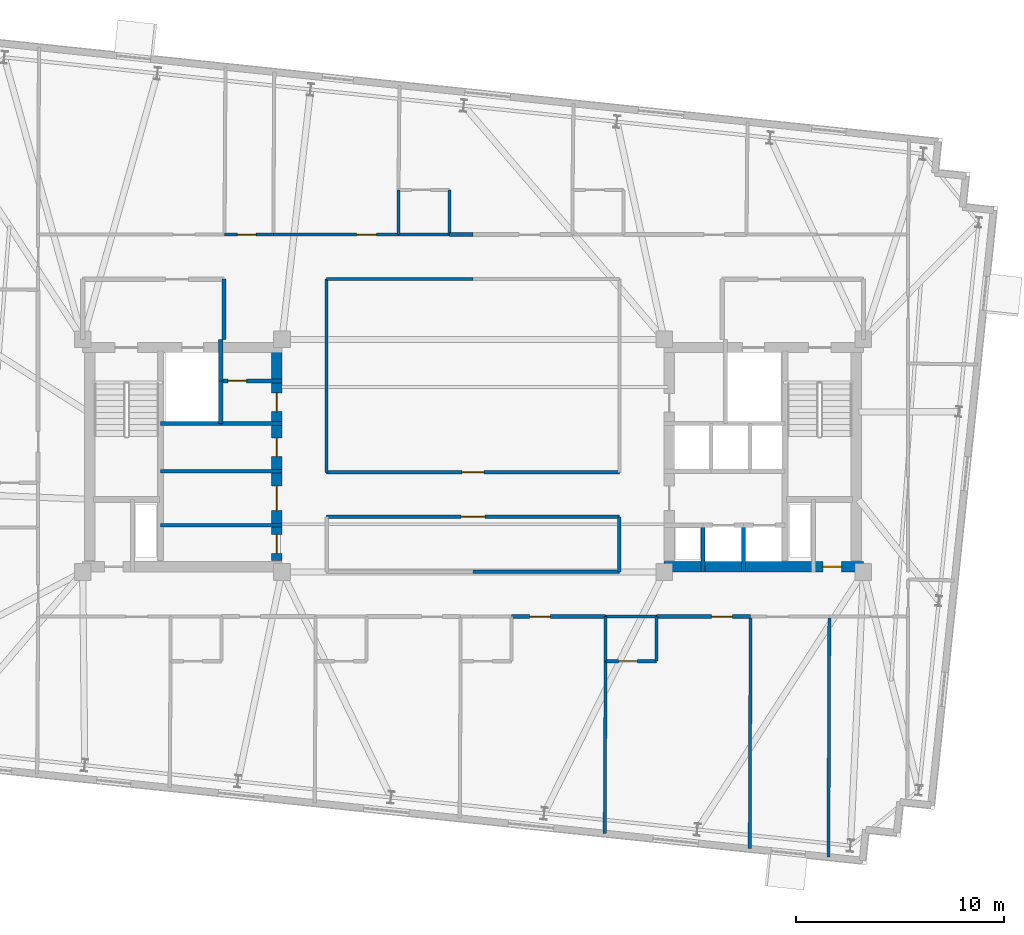
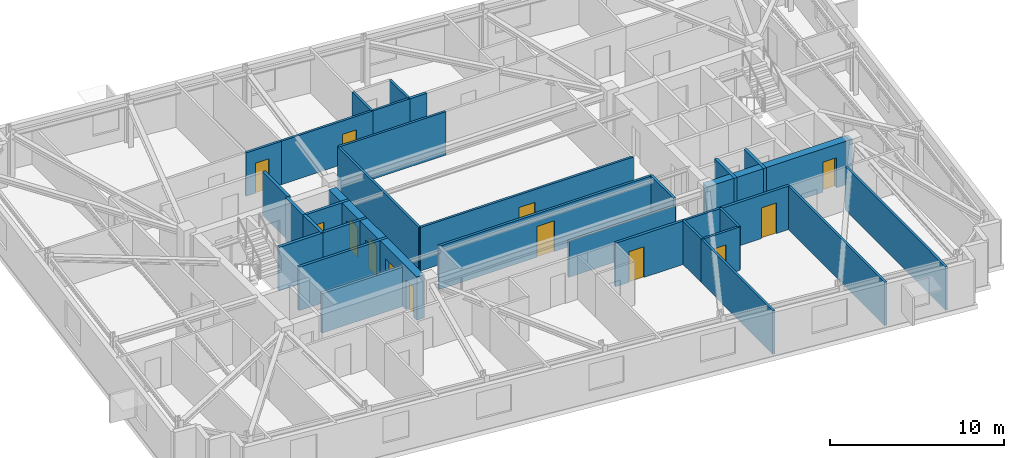
# One storey, part 7 of 11: 33 walls, 13 doors, 13 openings.
"""IFC4 building model written with IfcOpenShell, lengths in metres."""

import ifcopenshell
import ifcopenshell.guid

model = None  # the IFC model being written
_history = None  # IfcOwnerHistory: only IFC2X3 demands one
_inside = {}  # id of a spatial element -> (the spatial element, [elements in it])
_under = {}  # id of a project, library or spatial element -> (it, [spatial elements below it])
_declared = {}  # id of a project -> (the project, [libraries it declares])
_typed = {}  # id of a type object -> (the type object, [elements of that type])
_made_of = {}  # id of a material, layer set ... -> (it, [elements and type objects made of it])


def new_model(schema):
    """Start an empty IFC model of exactly this schema.

    Asked for "IFC4X3", IfcOpenShell would pick the latest addendum, in which some entities
    have other attributes; the version numbers below select the first issue.
    IFC2X3 requires an IfcOwnerHistory on every rooted entity: one is made here for all.
    """
    global model, _history
    if schema == "IFC4X3":
        model = ifcopenshell.file(schema_version=(4, 3, 0, 0))
    else:
        model = ifcopenshell.file(schema=schema)
    _inside.clear()
    _under.clear()
    _declared.clear()
    _typed.clear()
    _made_of.clear()
    _history = None
    if model.schema == "IFC2X3":
        org = make("IfcOrganization", Name="unknown")
        user = make(
            "IfcPersonAndOrganization",
            ThePerson=make("IfcPerson", FamilyName="unknown"),
            TheOrganization=org,
        )
        app = make(
            "IfcApplication",
            ApplicationDeveloper=org,
            Version="unknown",
            ApplicationFullName="unknown",
            ApplicationIdentifier="unknown",
        )
        _history = make(
            "IfcOwnerHistory",
            OwningUser=user,
            OwningApplication=app,
            ChangeAction="ADDED",
            CreationDate=0,
        )
    return model


def make(cls, **values):
    """One entity of the class cls with the attributes given. An attribute that is None is left unset."""
    return model.create_entity(
        cls, **{name: value for name, value in values.items() if value is not None}
    )


def rooted(cls, **values):
    """An entity with a GlobalId (a new one), such as an element, a storey or a relation."""
    return make(cls, GlobalId=ifcopenshell.guid.new(), OwnerHistory=_history, **values)


def si_unit(unit_type, name, prefix=None):
    """IfcSIUnit, for example si_unit("LENGTHUNIT", "METRE", prefix="MILLI")."""
    return make("IfcSIUnit", UnitType=unit_type, Prefix=prefix, Name=name)


def assignment(units):
    """IfcUnitAssignment: the units of a project."""
    return None if units is None else make("IfcUnitAssignment", Units=units)


def point(xyz):
    """IfcCartesianPoint."""
    return None if xyz is None else make("IfcCartesianPoint", Coordinates=xyz)


def direction(xyz):
    """IfcDirection."""
    return None if xyz is None else make("IfcDirection", DirectionRatios=xyz)


def frame(location, z_axis=None, x_axis=None):
    """IfcAxis2Placement3D, a coordinate frame: its origin and axes. An axis left out is left unset."""
    return make(
        "IfcAxis2Placement3D",
        Location=point(location),
        Axis=direction(z_axis),
        RefDirection=direction(x_axis),
    )


def frame_2d(location, x_axis=None):
    """IfcAxis2Placement2D, a coordinate frame in the plane: its origin and x axis."""
    return make(
        "IfcAxis2Placement2D", Location=point(location), RefDirection=direction(x_axis)
    )


def origin():
    """The frame at (0, 0, 0) with its axes left unset."""
    return frame((0.0, 0.0, 0.0))


def place(relative_to, where):
    """IfcLocalPlacement: puts the frame where relative to a parent placement (None: the world)."""
    return make(
        "IfcLocalPlacement", PlacementRelTo=relative_to, RelativePlacement=where
    )


def context(
    kind, dimensions, precision=None, world=None, true_north=None, identifier=None
):
    """IfcGeometricRepresentationContext, for example the 3D "Model" context."""
    return make(
        "IfcGeometricRepresentationContext",
        ContextIdentifier=identifier,
        ContextType=kind,
        CoordinateSpaceDimension=dimensions,
        Precision=precision,
        WorldCoordinateSystem=world,
        TrueNorth=true_north,
    )


def subcontext(parent, identifier, kind, view, scale=None):
    """IfcGeometricRepresentationSubContext, for example "Body" below "Model"."""
    return make(
        "IfcGeometricRepresentationSubContext",
        ContextIdentifier=identifier,
        ContextType=kind,
        ParentContext=parent,
        TargetScale=scale,
        TargetView=view,
    )


def project(units=None, contexts=None):
    """IfcProject with its units and contexts."""
    return rooted(
        "IfcProject",
        Name="project",
        RepresentationContexts=contexts,
        UnitsInContext=assignment(units),
    )


def spatial(cls, under=None, at=None, **own):
    """A site, building, storey or space (cls), placed at a placement, below another one or the project."""
    s = rooted(cls, ObjectPlacement=at, **own)
    if under is not None:
        _under.setdefault(under.id(), (under, []))[1].append(s)
    return s


def profile(cls, at=None, kind="AREA", **sizes):
    """A parametric profile (cls). Its sizes go by their IFC names, for example OverallWidth=200.0."""
    return make(cls, ProfileType=kind, Position=at, **sizes)


def rectangle(**sizes):
    """IfcRectangleProfileDef."""
    return profile("IfcRectangleProfileDef", **sizes)


def extrude(swept, where, along, depth):
    """IfcExtrudedAreaSolid: the profile swept, set in the frame where, extruded along a direction by depth."""
    return make(
        "IfcExtrudedAreaSolid",
        SweptArea=swept,
        Position=where,
        ExtrudedDirection=direction(along),
        Depth=depth,
    )


def shape(context_of_items, identifier, shape_type, items):
    """IfcShapeRepresentation: the items that make up one representation, for example the "Body"."""
    return make(
        "IfcShapeRepresentation",
        ContextOfItems=context_of_items,
        RepresentationIdentifier=identifier,
        RepresentationType=shape_type,
        Items=items,
    )


def material(Name=None, Category=None):
    """IfcMaterial."""
    return make("IfcMaterial", Name=Name, Category=Category)


def layer(
    of_material, thickness, ventilated=None, Name=None, Category=None, Priority=None
):
    """IfcMaterialLayer: one layer of a wall or slab, of a material (None: an air gap)."""
    return make(
        "IfcMaterialLayer",
        Material=of_material,
        LayerThickness=thickness,
        IsVentilated=ventilated,
        Name=Name,
        Category=Category,
        Priority=Priority,
    )


def layer_set(layers, Name=None):
    """IfcMaterialLayerSet."""
    return make("IfcMaterialLayerSet", MaterialLayers=layers, LayerSetName=Name)


def made_of(thing, what):
    """Note that an element or type object is made of a material, layer set ...; save() writes the relation."""
    if what is not None:
        _made_of.setdefault(what.id(), (what, []))[1].append(thing)
    return thing


def type_object(cls, material=None, **own):
    """A type object (cls), such as IfcWallType, which elements share."""
    return made_of(rooted(cls, **own), material)


def element(
    cls,
    number,
    at=None,
    inside=None,
    cuts=None,
    type_object=None,
    material=None,
    context=None,
    identifier="Body",
    shape_type=None,
    held_by="IfcProductDefinitionShape",
    body=None,
    shapes=None,
    **own,
):
    """One element of the class cls, such as IfcWall. Its Tag is "e" and its number.

    at: its placement. inside: the storey or other place that contains it. cuts: it is an
    opening in that element (IfcRelVoidsElement). A single representation is given by context,
    identifier, shape_type and body (its items); several are given by shapes. held_by: the class
    of the entity that holds the representations. save() writes the other relations.
    """
    e = rooted(cls, Tag="e%d" % number, ObjectPlacement=at, **own)
    if body is not None:
        shapes = [shape(context, identifier, shape_type, body)]
    if shapes is not None:
        e.Representation = make(held_by, Representations=shapes)
    if inside is not None:
        _inside.setdefault(inside.id(), (inside, []))[1].append(e)
    if cuts is not None:
        rooted(
            "IfcRelVoidsElement", RelatingBuildingElement=cuts, RelatedOpeningElement=e
        )
    if type_object is not None:
        _typed.setdefault(type_object.id(), (type_object, []))[1].append(e)
    return made_of(e, material)


def fill(opening, filler):
    """IfcRelFillsElement: the door or window that sits in an opening."""
    return rooted(
        "IfcRelFillsElement",
        RelatingOpeningElement=opening,
        RelatedBuildingElement=filler,
    )


def aggregate(whole, parts):
    """IfcRelAggregates: a whole, such as a stair, and the parts it consists of."""
    return rooted("IfcRelAggregates", RelatingObject=whole, RelatedObjects=parts)


def save(model, path):
    """Write the relations noted so far, then the file.

    IfcRelAggregates (storeys below a building ...), IfcRelContainedInSpatialStructure (elements
    in a storey), IfcRelDefinesByType, IfcRelAssociatesMaterial and IfcRelDeclares: one each for
    every whole, place, type object, material and project.
    """
    for whole, parts in _under.values():
        aggregate(whole, parts)
    for where, things in _inside.values():
        rooted(
            "IfcRelContainedInSpatialStructure",
            RelatedElements=things,
            RelatingStructure=where,
        )
    for kind, things in _typed.values():
        rooted("IfcRelDefinesByType", RelatedObjects=things, RelatingType=kind)
    for what, things in _made_of.values():
        rooted("IfcRelAssociatesMaterial", RelatedObjects=things, RelatingMaterial=what)
    for by, libraries in _declared.values():
        rooted("IfcRelDeclares", RelatingContext=by, RelatedDefinitions=libraries)
    model.write(path)


model = new_model("IFC4")

# Units and contexts
model_context = context("Model", 3, precision=1e-05, world=origin(), true_north=direction((0.0, 1.0)))
body_context = subcontext(model_context, "Body", "Model", "MODEL_VIEW")
ifc_project = project(units=[si_unit("LENGTHUNIT", "METRE"), si_unit("AREAUNIT", "SQUARE_METRE"), si_unit("VOLUMEUNIT", "CUBIC_METRE"), si_unit("PLANEANGLEUNIT", "RADIAN"), si_unit("MASSUNIT", "GRAM", prefix="KILO")], contexts=[model_context])

# Site, building, storey
site_placement = place(None, origin())
site = spatial("IfcSite", under=ifc_project, at=site_placement, CompositionType="ELEMENT")
building_placement = place(site_placement, origin())
building = spatial("IfcBuilding", under=site, at=building_placement, Name="Qobustan Lattice House", CompositionType="ELEMENT")
storey_placement = place(building_placement, frame((0.0, 0.0, 206.449951171875)))
storey = spatial("IfcBuildingStorey", under=building, at=storey_placement, Name="L58", CompositionType="ELEMENT", Elevation=206.449951171875)

# Wall, openings, doors
ifc_material_1 = material(Name="Concrete C50/60", Category="concrete")
ifc_layer_1 = layer(ifc_material_1, 0.5)
ifc_layer_set_1 = layer_set([ifc_layer_1], Name="Concrete C50/60")
wall_type_1 = type_object("IfcWallType", Name="WAL-CORE-500", PredefinedType="SHEAR", material=ifc_layer_set_1)
wall_1_placement = place(storey_placement, frame((-9.449951171875, -5.050048828125, 0.0), z_axis=(0.0, 0.0, 1.0), x_axis=(0.0, 1.0, 0.0)))
wall_1 = element("IfcWall", 1, at=wall_1_placement, inside=storey, type_object=wall_type_1, Name="L58 split-core shear wall CW-E", PredefinedType="SHEAR", context=body_context, shape_type="SweptSolid", body=[
    extrude(rectangle(XDim=10.10009765625, YDim=0.5, at=frame_2d((5.050048828125, 0.0))), origin(), (0.0, 0.0, 1.0), 3.0400390625),
])
opening_1_placement = place(wall_1_placement, frame((7.175048828125, 0.0, 0.0)))
opening_1 = element("IfcOpeningElement", 2, at=opening_1_placement, cuts=wall_1, Name="Opening RD-01", PredefinedType="OPENING", context=body_context, shape_type="SweptSolid", body=[
    extrude(rectangle(XDim=0.89990234375, YDim=2.10009765625, at=frame_2d((0.449951171875, 1.050048828125))), frame((0.0, 0.260009765625, 0.0), z_axis=(0.0, -1.0, 0.0), x_axis=(1.0, 0.0, 0.0)), (0.0, 0.0, 1.0), 0.52001953125),
])
opening_2_placement = place(wall_1_placement, frame((2.39990234375, 0.0, 0.0)))
opening_2 = element("IfcOpeningElement", 3, at=opening_2_placement, cuts=wall_1, Name="Opening FD-01", PredefinedType="OPENING", context=body_context, shape_type="SweptSolid", body=[
    extrude(rectangle(XDim=1.199951171875, YDim=2.14990234375, at=frame_2d((0.60009765625, 1.074951171875))), frame((0.0, 0.260009765625, 0.0), z_axis=(0.0, -1.0, 0.0), x_axis=(1.0, 0.0, 0.0)), (0.0, 0.0, 1.0), 0.52001953125),
])
opening_3_placement = place(wall_1_placement, frame((0.35009765625, 0.0, 0.0)))
opening_3 = element("IfcOpeningElement", 4, at=opening_3_placement, cuts=wall_1, Name="Opening RD-01", PredefinedType="OPENING", context=body_context, shape_type="SweptSolid", body=[
    extrude(rectangle(XDim=0.89990234375, YDim=2.10009765625, at=frame_2d((0.449951171875, 1.050048828125))), frame((0.0, 0.260009765625, 0.0), z_axis=(0.0, -1.0, 0.0), x_axis=(1.0, 0.0, 0.0)), (0.0, 0.0, 1.0), 0.52001953125),
])
opening_4_placement = place(wall_1_placement, frame((5.0, 0.0, 0.0)))
opening_4 = element("IfcOpeningElement", 5, at=opening_4_placement, cuts=wall_1, Name="Opening RD-01", PredefinedType="OPENING", context=body_context, shape_type="SweptSolid", body=[
    extrude(rectangle(XDim=0.89990234375, YDim=2.10009765625, at=frame_2d((0.449951171875, 1.050048828125))), frame((0.0, 0.260009765625, 0.0), z_axis=(0.0, -1.0, 0.0), x_axis=(1.0, 0.0, 0.0)), (0.0, 0.0, 1.0), 0.52001953125),
])
ifc_material_2 = material(Name="Persian walnut timber and steel frame door", Category="steel")
door_type_1 = type_object("IfcDoorType", Name="DOR-LOBBY-FD-1200x2150", OperationType="NOTDEFINED", PredefinedType="DOOR", material=ifc_material_2)
door_1_placement = place(opening_2_placement, origin())
door_1 = element("IfcDoor", 6, at=door_1_placement, inside=storey, type_object=door_type_1, Name="L58 West core foyer fire door", OperationType="SINGLE_SWING_LEFT", OverallHeight=2.14990234375, OverallWidth=1.199951171875, PredefinedType="DOOR", context=body_context, shape_type="SweptSolid", body=[
    extrude(rectangle(XDim=1.199951171875, YDim=2.14990234375, at=frame_2d((0.60009765625, 1.074951171875))), frame((0.0, 0.02490234375, 0.0), z_axis=(0.0, -1.0, 0.0), x_axis=(1.0, 0.0, 0.0)), (0.0, 0.0, 1.0), 0.050048828125),
])
fill(opening_2, door_1)
ifc_material_3 = material(Name="Persian walnut timber and steel frame door", Category="steel")
door_type_2 = type_object("IfcDoorType", Name="DOR-RISER-FD-900x2100", OperationType="NOTDEFINED", PredefinedType="DOOR", material=ifc_material_3)
door_2_placement = place(opening_1_placement, origin())
door_2 = element("IfcDoor", 7, at=door_2_placement, inside=storey, type_object=door_type_2, Name="L58 Core utility lobby fire door", OperationType="SINGLE_SWING_RIGHT", OverallHeight=2.10009765625, OverallWidth=0.89990234375, PredefinedType="DOOR", context=body_context, shape_type="SweptSolid", body=[
    extrude(rectangle(XDim=0.89990234375, YDim=2.10009765625, at=frame_2d((0.449951171875, 1.050048828125))), frame((0.0, 0.02490234375, 0.0), z_axis=(0.0, -1.0, 0.0), x_axis=(1.0, 0.0, 0.0)), (0.0, 0.0, 1.0), 0.050048828125),
])
fill(opening_1, door_2)
door_3_placement = place(opening_3_placement, origin())
door_3 = element("IfcDoor", 8, at=door_3_placement, inside=storey, type_object=door_type_2, Name="L58 Quiet study alcove fire door", OperationType="SINGLE_SWING_RIGHT", OverallHeight=2.10009765625, OverallWidth=0.89990234375, PredefinedType="DOOR", context=body_context, shape_type="SweptSolid", body=[
    extrude(rectangle(XDim=0.89990234375, YDim=2.10009765625, at=frame_2d((0.449951171875, 1.050048828125))), frame((0.0, 0.02490234375, 0.0), z_axis=(0.0, -1.0, 0.0), x_axis=(1.0, 0.0, 0.0)), (0.0, 0.0, 1.0), 0.050048828125),
])
fill(opening_3, door_3)
door_4_placement = place(opening_4_placement, origin())
door_4 = element("IfcDoor", 9, at=door_4_placement, inside=storey, type_object=door_type_2, Name="L58 Resident reading pod fire door", OperationType="SINGLE_SWING_LEFT", OverallHeight=2.10009765625, OverallWidth=0.89990234375, PredefinedType="DOOR", context=body_context, shape_type="SweptSolid", body=[
    extrude(rectangle(XDim=0.89990234375, YDim=2.10009765625, at=frame_2d((0.449951171875, 1.050048828125))), frame((0.0, 0.02490234375, 0.0), z_axis=(0.0, -1.0, 0.0), x_axis=(1.0, 0.0, 0.0)), (0.0, 0.0, 1.0), 0.050048828125),
])
fill(opening_4, door_4)

# Wall, opening, door
wall_2_placement = place(storey_placement, frame((9.199951171875, -5.35009765625, 0.0), z_axis=(0.0, 0.0, 1.0), x_axis=(1.0, 0.0, 0.0)))
wall_2 = element("IfcWall", 10, at=wall_2_placement, inside=storey, type_object=wall_type_1, Name="L58 split-core shear wall CE-S", PredefinedType="SHEAR", context=body_context, shape_type="SweptSolid", body=[
    extrude(rectangle(XDim=9.60009765625, YDim=0.5, at=frame_2d((4.800048828125, 0.0))), origin(), (0.0, 0.0, 1.0), 3.0400390625),
])
opening_5_placement = place(wall_2_placement, frame((7.64990234375, 0.0, 0.0)))
opening_5 = element("IfcOpeningElement", 11, at=opening_5_placement, cuts=wall_2, Name="Opening RD-01", PredefinedType="OPENING", context=body_context, shape_type="SweptSolid", body=[
    extrude(rectangle(XDim=0.89990234375, YDim=2.10009765625, at=frame_2d((0.449951171875, 1.050048828125))), frame((0.0, 0.260009765625, 0.0), z_axis=(0.0, -1.0, 0.0), x_axis=(1.0, 0.0, 0.0)), (0.0, 0.0, 1.0), 0.52001953125),
])
door_5_placement = place(opening_5_placement, origin())
door_5 = element("IfcDoor", 12, at=door_5_placement, inside=storey, type_object=door_type_2, Name="L58 core service riser access door E", OperationType="SINGLE_SWING_LEFT", OverallHeight=2.10009765625, OverallWidth=0.89990234375, PredefinedType="DOOR", context=body_context, shape_type="SweptSolid", body=[
    extrude(rectangle(XDim=0.89990234375, YDim=2.10009765625, at=frame_2d((0.449951171875, 1.050048828125))), frame((0.0, 0.02490234375, 0.0), z_axis=(0.0, -1.0, 0.0), x_axis=(1.0, 0.0, 0.0)), (0.0, 0.0, 1.0), 0.050048828125),
])
fill(opening_5, door_5)

ifc_material_4 = material(Name="Gypsum fireboard acoustic partition", Category="gypsum")
ifc_layer_2 = layer(ifc_material_4, 0.179931640625)
ifc_layer_set_2 = layer_set([ifc_layer_2], Name="Gypsum fireboard acoustic partition")
wall_type_2 = type_object("IfcWallType", Name="WAL-FIRE-180", PredefinedType="PARTITIONING", material=ifc_layer_set_2)
wall_3_placement = place(storey_placement, frame((-9.199951171875, 3.60009765625, 0.0), z_axis=(0.0, 0.0, 1.0), x_axis=(-1.0, 0.0, 0.0)))
wall_3 = element("IfcWall", 13, at=wall_3_placement, inside=storey, type_object=wall_type_2, Name="L58 interior partition 7", PredefinedType="PARTITIONING", context=body_context, shape_type="SweptSolid", body=[
    extrude(rectangle(XDim=2.949951171875, YDim=0.179931640625, at=frame_2d((1.47509765625, 0.0))), origin(), (0.0, 0.0, 1.0), 3.0400390625),
])
opening_6_placement = place(wall_3_placement, frame((1.699951171875, 0.0, 0.0)))
opening_6 = element("IfcOpeningElement", 14, at=opening_6_placement, cuts=wall_3, Name="Opening RD-01", PredefinedType="OPENING", context=body_context, shape_type="SweptSolid", body=[
    extrude(rectangle(XDim=0.89990234375, YDim=2.10009765625, at=frame_2d((0.449951171875, 1.050048828125))), frame((0.0, 0.099853515625, 0.0), z_axis=(0.0, -1.0, 0.0), x_axis=(1.0, 0.0, 0.0)), (0.0, 0.0, 1.0), 0.199951171875),
])
door_6_placement = place(opening_6_placement, origin())
door_6 = element("IfcDoor", 15, at=door_6_placement, inside=storey, type_object=door_type_2, Name="L58 Core utility lobby to Cleaner store door", OperationType="SINGLE_SWING_LEFT", OverallHeight=2.10009765625, OverallWidth=0.89990234375, PredefinedType="DOOR", context=body_context, shape_type="SweptSolid", body=[
    extrude(rectangle(XDim=0.89990234375, YDim=2.10009765625, at=frame_2d((0.449951171875, 1.050048828125))), frame((0.0, 0.02490234375, 0.0), z_axis=(0.0, -1.0, 0.0), x_axis=(1.0, 0.0, 0.0)), (0.0, 0.0, 1.0), 0.050048828125),
])
fill(opening_6, door_6)

# Walls
wall_4_placement = place(storey_placement, frame((-12.14990234375, 1.550048828125, 0.0), z_axis=(0.0, 0.0, 1.0), x_axis=(1.0, 0.0, 0.0)))
element("IfcWall", 16, at=wall_4_placement, inside=storey, type_object=wall_type_2, Name="L58 interior partition 8", PredefinedType="PARTITIONING", context=body_context, shape_type="SweptSolid", body=[
    extrude(rectangle(XDim=2.949951171875, YDim=0.179931640625, at=frame_2d((1.47509765625, 0.0))), origin(), (0.0, 0.0, 1.0), 3.0400390625),
])
wall_5_placement = place(storey_placement, frame((-15.050048828125, -3.35009765625, 0.0), z_axis=(0.0, 0.0, 1.0), x_axis=(1.0, 0.0, 0.0)))
element("IfcWall", 17, at=wall_5_placement, inside=storey, type_object=wall_type_2, Name="L58 interior partition 10", PredefinedType="PARTITIONING", context=body_context, shape_type="SweptSolid", body=[
    extrude(rectangle(XDim=5.85009765625, YDim=0.179931640625, at=frame_2d((2.925048828125, 0.0))), origin(), (0.0, 0.0, 1.0), 2.755126953125),
])
wall_6_placement = place(storey_placement, frame((-9.199951171875, -0.75, 0.0), z_axis=(0.0, 0.0, 1.0), x_axis=(-1.0, 0.0, 0.0)))
element("IfcWall", 18, at=wall_6_placement, inside=storey, type_object=wall_type_2, Name="L58 interior partition 11", PredefinedType="PARTITIONING", context=body_context, shape_type="SweptSolid", body=[
    extrude(rectangle(XDim=5.85009765625, YDim=0.179931640625, at=frame_2d((2.925048828125, 0.0))), origin(), (0.0, 0.0, 1.0), 3.0400390625),
])
wall_7_placement = place(storey_placement, frame((-1.139892578125, 10.64990234375, 0.0), z_axis=(0.0, 0.0, 1.0), x_axis=(1.0, 0.0, 0.0)))
element("IfcWall", 19, at=wall_7_placement, inside=storey, type_object=wall_type_2, Name="L58 interior partition 36", PredefinedType="PARTITIONING", context=body_context, shape_type="SweptSolid", body=[
    extrude(rectangle(XDim=1.139892578125, YDim=0.179931640625, at=frame_2d((0.56982421875, 0.0))), origin(), (0.0, 0.0, 1.0), 3.0400390625),
])

# Wall, opening, door
wall_8_placement = place(storey_placement, frame((6.383056640625, -7.75, 0.0), z_axis=(0.0, 0.0, 1.0), x_axis=(-1.0, 0.0, 0.0)))
wall_8 = element("IfcWall", 20, at=wall_8_placement, inside=storey, type_object=wall_type_2, Name="L58 interior partition 54", PredefinedType="PARTITIONING", context=body_context, shape_type="SweptSolid", body=[
    extrude(rectangle(XDim=4.532958984375, YDim=0.179931640625, at=frame_2d((2.2666015625, 0.0))), origin(), (0.0, 0.0, 1.0), 3.0400390625),
])
opening_7_placement = place(wall_8_placement, frame((2.656494140625, 0.0, 0.0)))
opening_7 = element("IfcOpeningElement", 21, at=opening_7_placement, cuts=wall_8, Name="Opening FD-02", PredefinedType="OPENING", context=body_context, shape_type="SweptSolid", body=[
    extrude(rectangle(XDim=1.0, YDim=2.14990234375, at=frame_2d((0.5, 1.074951171875))), frame((0.0, 0.099853515625, 0.0), z_axis=(0.0, -1.0, 0.0), x_axis=(1.0, 0.0, 0.0)), (0.0, 0.0, 1.0), 0.199951171875),
])
ifc_material_5 = material(Name="Persian walnut timber and steel frame door", Category="steel")
door_type_3 = type_object("IfcDoorType", Name="DOR-UNIT-FD-1000x2150", OperationType="NOTDEFINED", PredefinedType="DOOR", material=ifc_material_5)
door_7_placement = place(opening_7_placement, origin())
door_7 = element("IfcDoor", 22, at=door_7_placement, inside=storey, type_object=door_type_3, Name="L58 South-east floor corridor to Kitchenette and studio apartment L58-S4 door", OperationType="SINGLE_SWING_LEFT", OverallHeight=2.14990234375, OverallWidth=1.0, PredefinedType="DOOR", context=body_context, shape_type="SweptSolid", body=[
    extrude(rectangle(XDim=1.0, YDim=2.14990234375, at=frame_2d((0.5, 1.074951171875))), frame((0.0, 0.02490234375, 0.0), z_axis=(0.0, -1.0, 0.0), x_axis=(1.0, 0.0, 0.0)), (0.0, 0.0, 1.0), 0.050048828125),
])
fill(opening_7, door_7)

wall_9_placement = place(storey_placement, frame((13.366943359375, -7.75, 0.0), z_axis=(0.0, 0.0, 1.0), x_axis=(-1.0, 0.0, 0.0)))
wall_9 = element("IfcWall", 23, at=wall_9_placement, inside=storey, type_object=wall_type_2, Name="L58 interior partition 56", PredefinedType="PARTITIONING", context=body_context, shape_type="SweptSolid", body=[
    extrude(rectangle(XDim=4.533935546875, YDim=0.179931640625, at=frame_2d((2.26708984375, 0.0))), origin(), (0.0, 0.0, 1.0), 3.0400390625),
])
opening_8_placement = place(wall_9_placement, frame((0.876708984375, 0.0, 0.0)))
opening_8 = element("IfcOpeningElement", 24, at=opening_8_placement, cuts=wall_9, Name="Opening FD-02", PredefinedType="OPENING", context=body_context, shape_type="SweptSolid", body=[
    extrude(rectangle(XDim=1.0, YDim=2.14990234375, at=frame_2d((0.5, 1.074951171875))), frame((0.0, 0.099853515625, 0.0), z_axis=(0.0, -1.0, 0.0), x_axis=(1.0, 0.0, 0.0)), (0.0, 0.0, 1.0), 0.199951171875),
])
door_8_placement = place(opening_8_placement, origin())
door_8 = element("IfcDoor", 25, at=door_8_placement, inside=storey, type_object=door_type_3, Name="L58 South-east floor corridor to Kitchenette and studio apartment L58-S5 door", OperationType="SINGLE_SWING_RIGHT", OverallHeight=2.14990234375, OverallWidth=1.0, PredefinedType="DOOR", context=body_context, shape_type="SweptSolid", body=[
    extrude(rectangle(XDim=1.0, YDim=2.14990234375, at=frame_2d((0.5, 1.074951171875))), frame((0.0, 0.02490234375, 0.0), z_axis=(0.0, -1.0, 0.0), x_axis=(1.0, 0.0, 0.0)), (0.0, 0.0, 1.0), 0.050048828125),
])
fill(opening_8, door_8)

ifc_material_6 = material(Name="Acoustic twin-stud gypsum partition", Category="gypsum")
ifc_layer_3 = layer(ifc_material_6, 0.14990234375)
ifc_layer_set_3 = layer_set([ifc_layer_3], Name="Acoustic twin-stud gypsum partition")
wall_type_3 = type_object("IfcWallType", Name="WAL-PART-150", PredefinedType="PARTITIONING", material=ifc_layer_set_3)
wall_10_placement = place(storey_placement, frame((-9.6201171875, 10.64990234375, 0.0), z_axis=(0.0, 0.0, 1.0), x_axis=(1.0, 0.0, 0.0)))
wall_10 = element("IfcWall", 26, at=wall_10_placement, inside=storey, type_object=wall_type_3, Name="L58 interior partition 35", PredefinedType="PARTITIONING", context=body_context, shape_type="SweptSolid", body=[
    extrude(rectangle(XDim=6.030029296875, YDim=0.14990234375, at=frame_2d((3.01513671875, 0.0))), origin(), (0.0, 0.0, 1.0), 3.0400390625),
])
opening_9_placement = place(wall_10_placement, frame((4.010009765625, 0.0, 0.0)))
opening_9 = element("IfcOpeningElement", 27, at=opening_9_placement, cuts=wall_10, Name="Opening ID-01", PredefinedType="OPENING", context=body_context, shape_type="SweptSolid", body=[
    extrude(rectangle(XDim=0.949951171875, YDim=2.10009765625, at=frame_2d((0.47509765625, 1.050048828125))), frame((0.0, 0.0849609375, 0.0), z_axis=(0.0, -1.0, 0.0), x_axis=(1.0, 0.0, 0.0)), (0.0, 0.0, 1.0), 0.169921875),
])
ifc_material_7 = material(Name="Persian walnut timber and steel frame door", Category="steel")
door_type_4 = type_object("IfcDoorType", Name="DOR-ROOM-950x2100", OperationType="NOTDEFINED", PredefinedType="DOOR", material=ifc_material_7)
door_9_placement = place(opening_9_placement, origin())
door_9 = element("IfcDoor", 28, at=door_9_placement, inside=storey, type_object=door_type_4, Name="L58 North-west floor corridor to Laundry utility room door", OperationType="SINGLE_SWING_RIGHT", OverallHeight=2.10009765625, OverallWidth=0.949951171875, PredefinedType="DOOR", context=body_context, shape_type="SweptSolid", body=[
    extrude(rectangle(XDim=0.949951171875, YDim=2.10009765625, at=frame_2d((0.47509765625, 1.050048828125))), frame((0.0, 0.02490234375, 0.0), z_axis=(0.0, -1.0, 0.0), x_axis=(1.0, 0.0, 0.0)), (0.0, 0.0, 1.0), 0.050048828125),
])
fill(opening_9, door_9)

# Wall
wall_11_placement = place(storey_placement, frame((0.0, 8.5, 0.0), z_axis=(0.0, 0.0, 1.0), x_axis=(-1.0, 0.0, 0.0)))
element("IfcWall", 29, at=wall_11_placement, inside=storey, type_object=wall_type_3, Name="L58 interior partition 38", PredefinedType="PARTITIONING", context=body_context, shape_type="SweptSolid", body=[
    extrude(rectangle(XDim=7.050048828125, YDim=0.14990234375, at=frame_2d((3.52490234375, 0.0))), origin(), (0.0, 0.0, 1.0), 3.0400390625),
])

# Wall, opening, door
wall_12_placement = place(storey_placement, frame((-7.050048828125, -0.800048828125, 0.0), z_axis=(0.0, 0.0, 1.0), x_axis=(1.0, 0.0, 0.0)))
wall_12 = element("IfcWall", 30, at=wall_12_placement, inside=storey, type_object=wall_type_3, Name="L58 interior partition 67", PredefinedType="PARTITIONING", context=body_context, shape_type="SweptSolid", body=[
    extrude(rectangle(XDim=14.10009765625, YDim=0.14990234375, at=frame_2d((7.050048828125, 0.0))), origin(), (0.0, 0.0, 1.0), 3.0400390625),
])
opening_10_placement = place(wall_12_placement, frame((6.52490234375, 0.0, 0.0)))
opening_10 = element("IfcOpeningElement", 31, at=opening_10_placement, cuts=wall_12, Name="Opening ID-02", PredefinedType="OPENING", context=body_context, shape_type="SweptSolid", body=[
    extrude(rectangle(XDim=1.050048828125, YDim=2.14990234375, at=frame_2d((0.52490234375, 1.074951171875))), frame((0.0, 0.0849609375, 0.0), z_axis=(0.0, -1.0, 0.0), x_axis=(1.0, 0.0, 0.0)), (0.0, 0.0, 1.0), 0.169921875),
])
ifc_material_8 = material(Name="Persian walnut timber and steel frame door", Category="steel")
door_type_5 = type_object("IfcDoorType", Name="DOR-STUDY-1050x2150", OperationType="NOTDEFINED", PredefinedType="DOOR", material=ifc_material_8)
door_10_placement = place(opening_10_placement, origin())
door_10 = element("IfcDoor", 32, at=door_10_placement, inside=storey, type_object=door_type_5, Name="L58 Central spine corridor to Central study commons door", OperationType="SINGLE_SWING_RIGHT", OverallHeight=2.14990234375, OverallWidth=1.050048828125, PredefinedType="DOOR", context=body_context, shape_type="SweptSolid", body=[
    extrude(rectangle(XDim=1.050048828125, YDim=2.14990234375, at=frame_2d((0.52490234375, 1.074951171875))), frame((0.0, 0.02490234375, 0.0), z_axis=(0.0, -1.0, 0.0), x_axis=(1.0, 0.0, 0.0)), (0.0, 0.0, 1.0), 0.050048828125),
])
fill(opening_10, door_10)

# Walls
wall_13_placement = place(storey_placement, frame((-7.050048828125, 8.5, 0.0), z_axis=(0.0, 0.0, 1.0), x_axis=(0.0, -1.0, 0.0)))
element("IfcWall", 33, at=wall_13_placement, inside=storey, type_object=wall_type_3, Name="L58 interior partition 69", PredefinedType="PARTITIONING", context=body_context, shape_type="SweptSolid", body=[
    extrude(rectangle(XDim=9.300048828125, YDim=0.14990234375, at=frame_2d((4.64990234375, 0.0))), origin(), (0.0, 0.0, 1.0), 3.0400390625),
])
wall_14_placement = place(storey_placement, frame((6.383056640625, -9.89990234375, 0.0), z_axis=(0.0, 0.0, 1.0), x_axis=(-0.005298718667, -0.999985961692, 0.0)))
element("IfcWall", 34, at=wall_14_placement, inside=storey, type_object=wall_type_3, Name="L58 interior partition 109", PredefinedType="PARTITIONING", context=body_context, shape_type="SweptSolid", body=[
    extrude(rectangle(XDim=8.29345703125, YDim=0.14990234375, at=frame_2d((4.146728515625, 0.0))), origin(), (0.0, 0.0, 1.0), 3.0400390625),
])
wall_15_placement = place(storey_placement, frame((13.366943359375, -7.75, 0.0), z_axis=(0.0, 0.0, 1.0), x_axis=(-0.003931559943, -0.999992271388, 0.0)))
element("IfcWall", 35, at=wall_15_placement, inside=storey, type_object=wall_type_3, Name="L58 interior partition 113", PredefinedType="PARTITIONING", context=body_context, shape_type="SweptSolid", body=[
    extrude(rectangle(XDim=11.177490234375, YDim=0.14990234375, at=frame_2d((5.5888671875, 0.0))), origin(), (0.0, 0.0, 1.0), 3.0400390625),
])
wall_16_placement = place(storey_placement, frame((17.158447265625, -7.75, 0.0), z_axis=(0.0, 0.0, 1.0), x_axis=(-0.003796239649, -0.999992794256, 0.0)))
element("IfcWall", 36, at=wall_16_placement, inside=storey, type_object=wall_type_3, Name="L58 interior partition 114", PredefinedType="PARTITIONING", context=body_context, shape_type="SweptSolid", body=[
    extrude(rectangle(XDim=11.575927734375, YDim=0.14990234375, at=frame_2d((5.7880859375, 0.0))), origin(), (0.0, 0.0, 1.0), 3.0400390625),
])
ifc_material_9 = material(Name="High-mass acoustic twin-stud partition", Category="gypsum")
ifc_layer_4 = layer(ifc_material_9, 0.1650390625)
ifc_layer_set_4 = layer_set([ifc_layer_4], Name="High-mass acoustic twin-stud partition")
wall_type_4 = type_object("IfcWallType", Name="WAL-PART-165", PredefinedType="PARTITIONING", material=ifc_layer_set_4)
wall_17_placement = place(storey_placement, frame((0.0, -5.60009765625, 0.0), z_axis=(0.0, 0.0, 1.0), x_axis=(1.0, 0.0, 0.0)))
element("IfcWall", 37, at=wall_17_placement, inside=storey, type_object=wall_type_4, Name="L58 interior partition 60", PredefinedType="PARTITIONING", context=body_context, shape_type="SweptSolid", body=[
    extrude(rectangle(XDim=7.050048828125, YDim=0.1650390625, at=frame_2d((3.52490234375, 0.0))), origin(), (0.0, 0.0, 1.0), 2.525146484375),
])

# Wall, opening, door
wall_18_placement = place(storey_placement, frame((7.050048828125, -2.949951171875, 0.0), z_axis=(0.0, 0.0, 1.0), x_axis=(-1.0, 0.0, 0.0)))
wall_18 = element("IfcWall", 38, at=wall_18_placement, inside=storey, type_object=wall_type_4, Name="L58 interior partition 68", PredefinedType="PARTITIONING", context=body_context, shape_type="SweptSolid", body=[
    extrude(rectangle(XDim=14.10009765625, YDim=0.1650390625, at=frame_2d((7.050048828125, 0.0))), origin(), (0.0, 0.0, 1.0), 3.0400390625),
])
opening_11_placement = place(wall_18_placement, frame((6.47509765625, 0.0, 0.0)))
opening_11 = element("IfcOpeningElement", 39, at=opening_11_placement, cuts=wall_18, Name="Opening ID-03", PredefinedType="OPENING", context=body_context, shape_type="SweptSolid", body=[
    extrude(rectangle(XDim=1.14990234375, YDim=2.14990234375, at=frame_2d((0.574951171875, 1.074951171875))), frame((0.0, 0.092529296875, 0.0), z_axis=(0.0, -1.0, 0.0), x_axis=(1.0, 0.0, 0.0)), (0.0, 0.0, 1.0), 0.18505859375),
])
ifc_material_10 = material(Name="Persian walnut timber and steel frame door", Category="steel")
door_type_6 = type_object("IfcDoorType", Name="DOR-KITCH-1150x2150", OperationType="NOTDEFINED", PredefinedType="DOOR", material=ifc_material_10)
door_11_placement = place(opening_11_placement, origin())
door_11 = element("IfcDoor", 40, at=door_11_placement, inside=storey, type_object=door_type_6, Name="L58 Central spine corridor to Shared kitchen and tea room door", OperationType="SINGLE_SWING_LEFT", OverallHeight=2.14990234375, OverallWidth=1.14990234375, PredefinedType="DOOR", context=body_context, shape_type="SweptSolid", body=[
    extrude(rectangle(XDim=1.14990234375, YDim=2.14990234375, at=frame_2d((0.574951171875, 1.074951171875))), frame((0.0, 0.02490234375, 0.0), z_axis=(0.0, -1.0, 0.0), x_axis=(1.0, 0.0, 0.0)), (0.0, 0.0, 1.0), 0.050048828125),
])
fill(opening_11, door_11)

# Walls
wall_19_placement = place(storey_placement, frame((7.050048828125, -5.60009765625, 0.0), z_axis=(0.0, 0.0, 1.0), x_axis=(0.0, 1.0, 0.0)))
element("IfcWall", 41, at=wall_19_placement, inside=storey, type_object=wall_type_4, Name="L58 interior partition 72", PredefinedType="PARTITIONING", context=body_context, shape_type="SweptSolid", body=[
    extrude(rectangle(XDim=2.650146484375, YDim=0.1650390625, at=frame_2d((1.3251953125, 0.0))), origin(), (0.0, 0.0, 1.0), 3.0400390625),
])
ifc_material_11 = material(Name="Two-hour gypsum fireboard acoustic partition", Category="gypsum")
ifc_layer_5 = layer(ifc_material_11, 0.199951171875)
ifc_layer_set_5 = layer_set([ifc_layer_5], Name="Two-hour gypsum fireboard acoustic partition")
wall_type_5 = type_object("IfcWallType", Name="WAL-PROT-200", PredefinedType="PARTITIONING", material=ifc_layer_set_5)
wall_20_placement = place(storey_placement, frame((-12.0, 5.60009765625, 0.0), z_axis=(0.0, 0.0, 1.0), x_axis=(0.0, 1.0, 0.0)))
element("IfcWall", 42, at=wall_20_placement, inside=storey, type_object=wall_type_5, Name="L58 interior partition 6", PredefinedType="PARTITIONING", context=body_context, shape_type="SweptSolid", body=[
    extrude(rectangle(XDim=2.89990234375, YDim=0.199951171875, at=frame_2d((1.449951171875, 0.0))), origin(), (0.0, 0.0, 1.0), 3.0400390625),
])
ifc_material_12 = material(Name="Concrete C40/50", Category="concrete")
ifc_layer_6 = layer(ifc_material_12, 0.199951171875)
ifc_layer_set_6 = layer_set([ifc_layer_6], Name="Concrete C40/50")
wall_type_6 = type_object("IfcWallType", Name="WAL-SHAFT-200", PredefinedType="PARTITIONING", material=ifc_layer_set_6)
wall_21_placement = place(storey_placement, frame((-12.14990234375, 1.550048828125, 0.0), z_axis=(0.0, 0.0, 1.0), x_axis=(0.0, 1.0, 0.0)))
element("IfcWall", 43, at=wall_21_placement, inside=storey, type_object=wall_type_6, Name="L58 interior partition 2", PredefinedType="PARTITIONING", context=body_context, shape_type="SweptSolid", body=[
    extrude(rectangle(XDim=2.050048828125, YDim=0.199951171875, at=frame_2d((1.02490234375, 0.0))), origin(), (0.0, 0.0, 1.0), 3.0400390625),
])
wall_22_placement = place(storey_placement, frame((-12.14990234375, 3.60009765625, 0.0), z_axis=(0.0, 0.0, 1.0), x_axis=(0.0, 1.0, 0.0)))
element("IfcWall", 44, at=wall_22_placement, inside=storey, type_object=wall_type_6, Name="L58 interior partition 3", PredefinedType="PARTITIONING", context=body_context, shape_type="SweptSolid", body=[
    extrude(rectangle(XDim=2.0, YDim=0.199951171875, at=frame_2d((1.0, 0.0))), origin(), (0.0, 0.0, 1.0), 3.0400390625),
])
for number, where, z_axis, x_axis, name in (
    (45, (11.080078125, -5.60009765625, 0.0), (0.0, 0.0, 1.0), (0.0, 1.0, 0.0), "L58 interior partition 28"),
    (46, (13.02001953125, -5.60009765625, 0.0), (0.0, 0.0, 1.0), (0.0, 1.0, 0.0), "L58 interior partition 29"),
):
    element("IfcWall", number, at=place(storey_placement, frame(where, z_axis=z_axis, x_axis=x_axis)), inside=storey, type_object=wall_type_6, Name=name, PredefinedType="PARTITIONING", context=body_context, shape_type="SweptSolid", body=[
        extrude(rectangle(XDim=2.25, YDim=0.199951171875, at=frame_2d((1.125, 0.0))), origin(), (0.0, 0.0, 1.0), 3.0400390625),
    ])
wall_23_placement = place(storey_placement, frame((-15.050048828125, 1.550048828125, 0.0), z_axis=(0.0, 0.0, 1.0), x_axis=(1.0, 0.0, 0.0)))
element("IfcWall", 47, at=wall_23_placement, inside=storey, type_object=wall_type_6, Name="L58 interior partition 115", PredefinedType="PARTITIONING", context=body_context, shape_type="SweptSolid", body=[
    extrude(rectangle(XDim=2.900146484375, YDim=0.199951171875, at=frame_2d((1.4501953125, 0.0))), origin(), (0.0, 0.0, 1.0), 3.0400390625),
])

# Wall, opening, door
ifc_material_13 = material(Name="Moisture-resistant acoustic plumbing wall", Category="gypsum")
ifc_layer_7 = layer(ifc_material_13, 0.14990234375)
ifc_layer_set_7 = layer_set([ifc_layer_7], Name="Moisture-resistant acoustic plumbing wall")
wall_type_7 = type_object("IfcWallType", Name="WAL-WET-150", PredefinedType="PLUMBINGWALL", material=ifc_layer_set_7)
wall_24_placement = place(storey_placement, frame((-11.969970703125, 10.64990234375, 0.0), z_axis=(0.0, 0.0, 1.0), x_axis=(1.0, 0.0, 0.0)))
wall_24 = element("IfcWall", 48, at=wall_24_placement, inside=storey, type_object=wall_type_7, Name="L58 interior partition 34", PredefinedType="PLUMBINGWALL", context=body_context, shape_type="SweptSolid", body=[
    extrude(rectangle(XDim=2.349853515625, YDim=0.14990234375, at=frame_2d((1.1748046875, 0.0))), origin(), (0.0, 0.0, 1.0), 3.0400390625),
])
opening_12_placement = place(wall_24_placement, frame((0.6162109375, 0.0, 0.0)))
opening_12 = element("IfcOpeningElement", 49, at=opening_12_placement, cuts=wall_24, Name="Opening WD-01", PredefinedType="OPENING", context=body_context, shape_type="SweptSolid", body=[
    extrude(rectangle(XDim=0.89990234375, YDim=2.10009765625, at=frame_2d((0.449951171875, 1.050048828125))), frame((0.0, 0.0849609375, 0.0), z_axis=(0.0, -1.0, 0.0), x_axis=(1.0, 0.0, 0.0)), (0.0, 0.0, 1.0), 0.169921875),
])
ifc_material_14 = material(Name="Persian walnut timber and steel frame door", Category="steel")
door_type_7 = type_object("IfcDoorType", Name="DOR-WET-900x2100", OperationType="NOTDEFINED", PredefinedType="DOOR", material=ifc_material_14)
door_12_placement = place(opening_12_placement, origin())
door_12 = element("IfcDoor", 50, at=door_12_placement, inside=storey, type_object=door_type_7, Name="L58 North-west floor corridor to Accessible WC door", OperationType="SINGLE_SWING_LEFT", OverallHeight=2.10009765625, OverallWidth=0.89990234375, PredefinedType="DOOR", context=body_context, shape_type="SweptSolid", body=[
    extrude(rectangle(XDim=0.89990234375, YDim=2.10009765625, at=frame_2d((0.449951171875, 1.050048828125))), frame((0.0, 0.02490234375, 0.0), z_axis=(0.0, -1.0, 0.0), x_axis=(1.0, 0.0, 0.0)), (0.0, 0.0, 1.0), 0.050048828125),
])
fill(opening_12, door_12)

# Walls
wall_25_placement = place(storey_placement, frame((-3.590087890625, 10.64990234375, 0.0), z_axis=(0.0, 0.0, 1.0), x_axis=(1.0, 0.0, 0.0)))
element("IfcWall", 51, at=wall_25_placement, inside=storey, type_object=wall_type_7, Name="L58 interior partition 37", PredefinedType="PLUMBINGWALL", context=body_context, shape_type="SweptSolid", body=[
    extrude(rectangle(XDim=2.4501953125, YDim=0.14990234375, at=frame_2d((1.22509765625, 0.0))), origin(), (0.0, 0.0, 1.0), 3.0400390625),
])
wall_26_placement = place(storey_placement, frame((8.8330078125, -7.75, 0.0), z_axis=(0.0, 0.0, 1.0), x_axis=(-1.0, 0.0, 0.0)))
element("IfcWall", 52, at=wall_26_placement, inside=storey, type_object=wall_type_7, Name="L58 interior partition 57", PredefinedType="PLUMBINGWALL", context=body_context, shape_type="SweptSolid", body=[
    extrude(rectangle(XDim=2.449951171875, YDim=0.14990234375, at=frame_2d((1.22509765625, 0.0))), origin(), (0.0, 0.0, 1.0), 3.0400390625),
])
for number, where, z_axis, x_axis, name in (
    (53, (-3.590087890625, 12.800048828125, 0.0), (0.0, 0.0, 1.0), (0.0, -1.0, 0.0), "L58 interior partition 89"),
    (54, (-1.139892578125, 10.64990234375, 0.0), (0.0, 0.0, 1.0), (0.0, 1.0, 0.0), "L58 interior partition 91"),
):
    element("IfcWall", number, at=place(storey_placement, frame(where, z_axis=z_axis, x_axis=x_axis)), inside=storey, type_object=wall_type_7, Name=name, PredefinedType="PLUMBINGWALL", context=body_context, shape_type="SweptSolid", body=[
        extrude(rectangle(XDim=2.150146484375, YDim=0.14990234375, at=frame_2d((1.0751953125, 0.0))), origin(), (0.0, 0.0, 1.0), 3.0400390625),
    ])
wall_27_placement = place(storey_placement, frame((6.383056640625, -7.75, 0.0), z_axis=(0.0, 0.0, 1.0), x_axis=(0.0, -1.0, 0.0)))
element("IfcWall", 55, at=wall_27_placement, inside=storey, type_object=wall_type_7, Name="L58 interior partition 110", PredefinedType="PLUMBINGWALL", context=body_context, shape_type="SweptSolid", body=[
    extrude(rectangle(XDim=2.14990234375, YDim=0.14990234375, at=frame_2d((1.074951171875, 0.0))), origin(), (0.0, 0.0, 1.0), 3.0400390625),
])

# Wall, opening, door
wall_28_placement = place(storey_placement, frame((6.383056640625, -9.89990234375, 0.0), z_axis=(0.0, 0.0, 1.0), x_axis=(1.0, 0.0, 0.0)))
wall_28 = element("IfcWall", 56, at=wall_28_placement, inside=storey, type_object=wall_type_7, Name="L58 interior partition 111", PredefinedType="PLUMBINGWALL", context=body_context, shape_type="SweptSolid", body=[
    extrude(rectangle(XDim=2.449951171875, YDim=0.14990234375, at=frame_2d((1.22509765625, 0.0))), origin(), (0.0, 0.0, 1.0), 3.0400390625),
])
opening_13_placement = place(wall_28_placement, frame((0.62890625, 0.0, 0.0)))
opening_13 = element("IfcOpeningElement", 57, at=opening_13_placement, cuts=wall_28, Name="Opening WD-01", PredefinedType="OPENING", context=body_context, shape_type="SweptSolid", body=[
    extrude(rectangle(XDim=0.89990234375, YDim=2.10009765625, at=frame_2d((0.449951171875, 1.050048828125))), frame((0.0, 0.0849609375, 0.0), z_axis=(0.0, -1.0, 0.0), x_axis=(1.0, 0.0, 0.0)), (0.0, 0.0, 1.0), 0.169921875),
])
door_13_placement = place(opening_13_placement, origin())
door_13 = element("IfcDoor", 58, at=door_13_placement, inside=storey, type_object=door_type_7, Name="L58 Kitchenette and studio apartment L58-S5 to En-suite bathroom L58-S5 door", OperationType="SINGLE_SWING_LEFT", OverallHeight=2.10009765625, OverallWidth=0.89990234375, PredefinedType="DOOR", context=body_context, shape_type="SweptSolid", body=[
    extrude(rectangle(XDim=0.89990234375, YDim=2.10009765625, at=frame_2d((0.449951171875, 1.050048828125))), frame((0.0, 0.02490234375, 0.0), z_axis=(0.0, -1.0, 0.0), x_axis=(1.0, 0.0, 0.0)), (0.0, 0.0, 1.0), 0.050048828125),
])
fill(opening_13, door_13)

# Wall
wall_29_placement = place(storey_placement, frame((8.8330078125, -9.89990234375, 0.0), z_axis=(0.0, 0.0, 1.0), x_axis=(0.0, 1.0, 0.0)))
element("IfcWall", 59, at=wall_29_placement, inside=storey, type_object=wall_type_7, Name="L58 interior partition 112", PredefinedType="PLUMBINGWALL", context=body_context, shape_type="SweptSolid", body=[
    extrude(rectangle(XDim=2.14990234375, YDim=0.14990234375, at=frame_2d((1.074951171875, 0.0))), origin(), (0.0, 0.0, 1.0), 3.0400390625),
])

save(model, "model.ifc")
